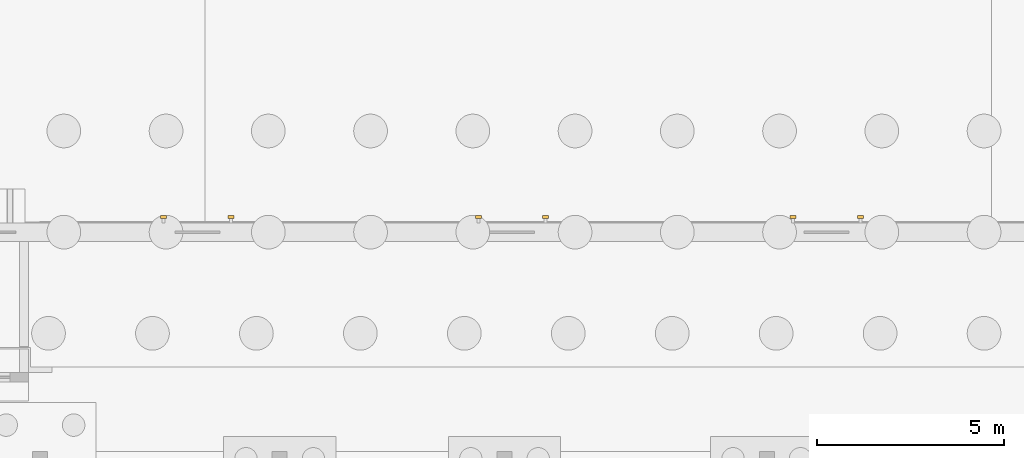
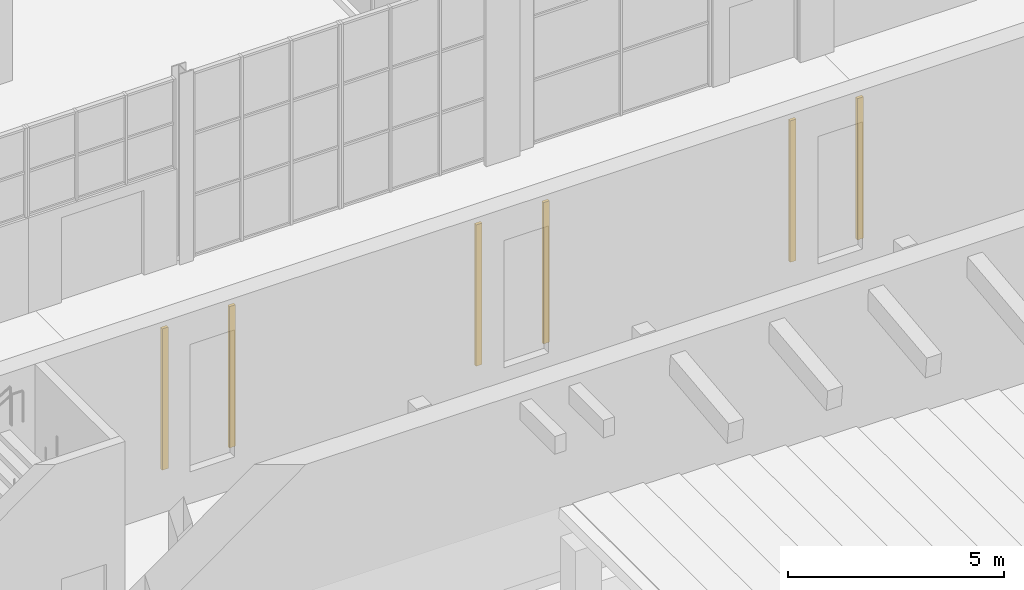
# One storey, part 106 of 127: 6 shading devices.
"""IFC4 building model written with IfcOpenShell, lengths in metres."""

import ifcopenshell
import ifcopenshell.guid

model = None  # the IFC model being written
_history = None  # IfcOwnerHistory: only IFC2X3 demands one
_inside = {}  # id of a spatial element -> (the spatial element, [elements in it])
_under = {}  # id of a project, library or spatial element -> (it, [spatial elements below it])
_declared = {}  # id of a project -> (the project, [libraries it declares])
_typed = {}  # id of a type object -> (the type object, [elements of that type])
_made_of = {}  # id of a material, layer set ... -> (it, [elements and type objects made of it])


def new_model(schema):
    """Start an empty IFC model of exactly this schema.

    Asked for "IFC4X3", IfcOpenShell would pick the latest addendum, in which some entities
    have other attributes; the version numbers below select the first issue.
    IFC2X3 requires an IfcOwnerHistory on every rooted entity: one is made here for all.
    """
    global model, _history
    if schema == "IFC4X3":
        model = ifcopenshell.file(schema_version=(4, 3, 0, 0))
    else:
        model = ifcopenshell.file(schema=schema)
    _inside.clear()
    _under.clear()
    _declared.clear()
    _typed.clear()
    _made_of.clear()
    _history = None
    if model.schema == "IFC2X3":
        org = make("IfcOrganization", Name="unknown")
        user = make(
            "IfcPersonAndOrganization",
            ThePerson=make("IfcPerson", FamilyName="unknown"),
            TheOrganization=org,
        )
        app = make(
            "IfcApplication",
            ApplicationDeveloper=org,
            Version="unknown",
            ApplicationFullName="unknown",
            ApplicationIdentifier="unknown",
        )
        _history = make(
            "IfcOwnerHistory",
            OwningUser=user,
            OwningApplication=app,
            ChangeAction="ADDED",
            CreationDate=0,
        )
    return model


def make(cls, **values):
    """One entity of the class cls with the attributes given. An attribute that is None is left unset."""
    return model.create_entity(
        cls, **{name: value for name, value in values.items() if value is not None}
    )


def rooted(cls, **values):
    """An entity with a GlobalId (a new one), such as an element, a storey or a relation."""
    return make(cls, GlobalId=ifcopenshell.guid.new(), OwnerHistory=_history, **values)


def si_unit(unit_type, name, prefix=None):
    """IfcSIUnit, for example si_unit("LENGTHUNIT", "METRE", prefix="MILLI")."""
    return make("IfcSIUnit", UnitType=unit_type, Prefix=prefix, Name=name)


def assignment(units):
    """IfcUnitAssignment: the units of a project."""
    return None if units is None else make("IfcUnitAssignment", Units=units)


def point(xyz):
    """IfcCartesianPoint."""
    return None if xyz is None else make("IfcCartesianPoint", Coordinates=xyz)


def direction(xyz):
    """IfcDirection."""
    return None if xyz is None else make("IfcDirection", DirectionRatios=xyz)


def frame(location, z_axis=None, x_axis=None):
    """IfcAxis2Placement3D, a coordinate frame: its origin and axes. An axis left out is left unset."""
    return make(
        "IfcAxis2Placement3D",
        Location=point(location),
        Axis=direction(z_axis),
        RefDirection=direction(x_axis),
    )


def frame_2d(location, x_axis=None):
    """IfcAxis2Placement2D, a coordinate frame in the plane: its origin and x axis."""
    return make(
        "IfcAxis2Placement2D", Location=point(location), RefDirection=direction(x_axis)
    )


def origin():
    """The frame at (0, 0, 0) with its axes left unset."""
    return frame((0.0, 0.0, 0.0))


def origin_2d():
    """The frame at (0, 0) in the plane with its x axis left unset."""
    return frame_2d((0.0, 0.0))


def place(relative_to, where):
    """IfcLocalPlacement: puts the frame where relative to a parent placement (None: the world)."""
    return make(
        "IfcLocalPlacement", PlacementRelTo=relative_to, RelativePlacement=where
    )


def context(
    kind, dimensions, precision=None, world=None, true_north=None, identifier=None
):
    """IfcGeometricRepresentationContext, for example the 3D "Model" context."""
    return make(
        "IfcGeometricRepresentationContext",
        ContextIdentifier=identifier,
        ContextType=kind,
        CoordinateSpaceDimension=dimensions,
        Precision=precision,
        WorldCoordinateSystem=world,
        TrueNorth=true_north,
    )


def subcontext(parent, identifier, kind, view, scale=None):
    """IfcGeometricRepresentationSubContext, for example "Body" below "Model"."""
    return make(
        "IfcGeometricRepresentationSubContext",
        ContextIdentifier=identifier,
        ContextType=kind,
        ParentContext=parent,
        TargetScale=scale,
        TargetView=view,
    )


def project(units=None, contexts=None):
    """IfcProject with its units and contexts."""
    return rooted(
        "IfcProject",
        Name="project",
        RepresentationContexts=contexts,
        UnitsInContext=assignment(units),
    )


def spatial(cls, under=None, at=None, **own):
    """A site, building, storey or space (cls), placed at a placement, below another one or the project."""
    s = rooted(cls, ObjectPlacement=at, **own)
    if under is not None:
        _under.setdefault(under.id(), (under, []))[1].append(s)
    return s


def profile(cls, at=None, kind="AREA", **sizes):
    """A parametric profile (cls). Its sizes go by their IFC names, for example OverallWidth=200.0."""
    return make(cls, ProfileType=kind, Position=at, **sizes)


def rectangle(**sizes):
    """IfcRectangleProfileDef."""
    return profile("IfcRectangleProfileDef", **sizes)


def extrude(swept, where, along, depth):
    """IfcExtrudedAreaSolid: the profile swept, set in the frame where, extruded along a direction by depth."""
    return make(
        "IfcExtrudedAreaSolid",
        SweptArea=swept,
        Position=where,
        ExtrudedDirection=direction(along),
        Depth=depth,
    )


def shape(context_of_items, identifier, shape_type, items):
    """IfcShapeRepresentation: the items that make up one representation, for example the "Body"."""
    return make(
        "IfcShapeRepresentation",
        ContextOfItems=context_of_items,
        RepresentationIdentifier=identifier,
        RepresentationType=shape_type,
        Items=items,
    )


def material(Name=None, Category=None):
    """IfcMaterial."""
    return make("IfcMaterial", Name=Name, Category=Category)


def made_of(thing, what):
    """Note that an element or type object is made of a material, layer set ...; save() writes the relation."""
    if what is not None:
        _made_of.setdefault(what.id(), (what, []))[1].append(thing)
    return thing


def type_object(cls, material=None, **own):
    """A type object (cls), such as IfcWallType, which elements share."""
    return made_of(rooted(cls, **own), material)


def element(
    cls,
    number,
    at=None,
    inside=None,
    cuts=None,
    type_object=None,
    material=None,
    context=None,
    identifier="Body",
    shape_type=None,
    held_by="IfcProductDefinitionShape",
    body=None,
    shapes=None,
    **own,
):
    """One element of the class cls, such as IfcWall. Its Tag is "e" and its number.

    at: its placement. inside: the storey or other place that contains it. cuts: it is an
    opening in that element (IfcRelVoidsElement). A single representation is given by context,
    identifier, shape_type and body (its items); several are given by shapes. held_by: the class
    of the entity that holds the representations. save() writes the other relations.
    """
    e = rooted(cls, Tag="e%d" % number, ObjectPlacement=at, **own)
    if body is not None:
        shapes = [shape(context, identifier, shape_type, body)]
    if shapes is not None:
        e.Representation = make(held_by, Representations=shapes)
    if inside is not None:
        _inside.setdefault(inside.id(), (inside, []))[1].append(e)
    if cuts is not None:
        rooted(
            "IfcRelVoidsElement", RelatingBuildingElement=cuts, RelatedOpeningElement=e
        )
    if type_object is not None:
        _typed.setdefault(type_object.id(), (type_object, []))[1].append(e)
    return made_of(e, material)


def aggregate(whole, parts):
    """IfcRelAggregates: a whole, such as a stair, and the parts it consists of."""
    return rooted("IfcRelAggregates", RelatingObject=whole, RelatedObjects=parts)


def save(model, path):
    """Write the relations noted so far, then the file.

    IfcRelAggregates (storeys below a building ...), IfcRelContainedInSpatialStructure (elements
    in a storey), IfcRelDefinesByType, IfcRelAssociatesMaterial and IfcRelDeclares: one each for
    every whole, place, type object, material and project.
    """
    for whole, parts in _under.values():
        aggregate(whole, parts)
    for where, things in _inside.values():
        rooted(
            "IfcRelContainedInSpatialStructure",
            RelatedElements=things,
            RelatingStructure=where,
        )
    for kind, things in _typed.values():
        rooted("IfcRelDefinesByType", RelatedObjects=things, RelatingType=kind)
    for what, things in _made_of.values():
        rooted("IfcRelAssociatesMaterial", RelatedObjects=things, RelatingMaterial=what)
    for by, libraries in _declared.values():
        rooted("IfcRelDeclares", RelatingContext=by, RelatedDefinitions=libraries)
    model.write(path)


model = new_model("IFC4")

# Units and contexts
model_context = context("Model", 3, precision=1e-05, world=origin(), true_north=direction((0.0, 1.0)))
body_context = subcontext(model_context, "Body", "Model", "MODEL_VIEW")
ifc_project = project(units=[si_unit("LENGTHUNIT", "METRE"), si_unit("AREAUNIT", "SQUARE_METRE"), si_unit("VOLUMEUNIT", "CUBIC_METRE"), si_unit("PLANEANGLEUNIT", "RADIAN"), si_unit("MASSUNIT", "GRAM", prefix="KILO")], contexts=[model_context])

# Site, building, storey
site_placement = place(None, origin())
site = spatial("IfcSite", under=ifc_project, at=site_placement, CompositionType="ELEMENT")
building_placement = place(site_placement, origin())
building = spatial("IfcBuilding", under=site, at=building_placement, Name="Ljudholm Concert House", CompositionType="ELEMENT")
storey_placement = place(building_placement, origin())
storey = spatial("IfcBuildingStorey", under=building, at=storey_placement, Name="L00", CompositionType="ELEMENT", Elevation=0.0)

# Shading devices
ifc_material = material(Name="Aluminium extrusion with timber-grain PVDF finish", Category="aluminium")
shading_device_type = type_object("IfcShadingDeviceType", Name="FACADE FIN 80x160", PredefinedType="SHUTTER", material=ifc_material)
for number, where, z_axis, x_axis, name in (
    (1, (40.89990234375, 96.81005859375, 0.699951171875), (0.0, 0.0, 1.0), (0.0, 1.0, 0.0), "Facade fin"),
    (2, (42.699951171875, 96.81005859375, 0.699951171875), (0.0, 0.0, 1.0), (0.0, 1.0, 0.0), "Facade fin"),
    (3, (49.300048828125, 96.81005859375, 0.699951171875), (0.0, 0.0, 1.0), (0.0, 1.0, 0.0), "Facade fin"),
    (4, (51.10009765625, 96.81005859375, 0.699951171875), (0.0, 0.0, 1.0), (0.0, 1.0, 0.0), "Facade fin"),
    (5, (57.699951171875, 96.81005859375, 0.699951171875), (0.0, 0.0, 1.0), (0.0, 1.0, 0.0), "Facade fin"),
    (6, (59.5, 96.81005859375, 0.699951171875), (0.0, 0.0, 1.0), (0.0, 1.0, 0.0), "Facade fin"),
):
    element("IfcShadingDevice", number, at=place(storey_placement, frame(where, z_axis=z_axis, x_axis=x_axis)), inside=storey, type_object=shading_device_type, Name=name, PredefinedType="SHUTTER", context=body_context, shape_type="SweptSolid", body=[
        extrude(rectangle(XDim=0.080078125, YDim=0.159912109375, at=origin_2d()), origin(), (0.0, 0.0, 1.0), 4.0),
    ])

save(model, "model.ifc")
